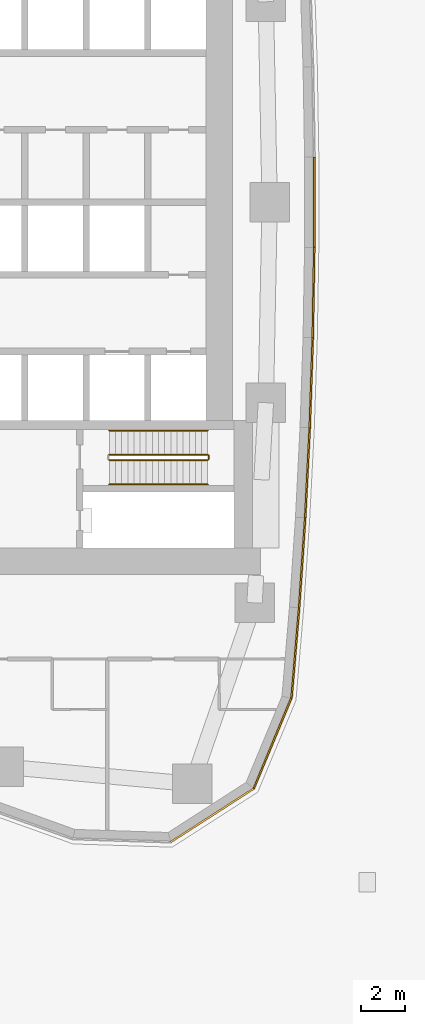
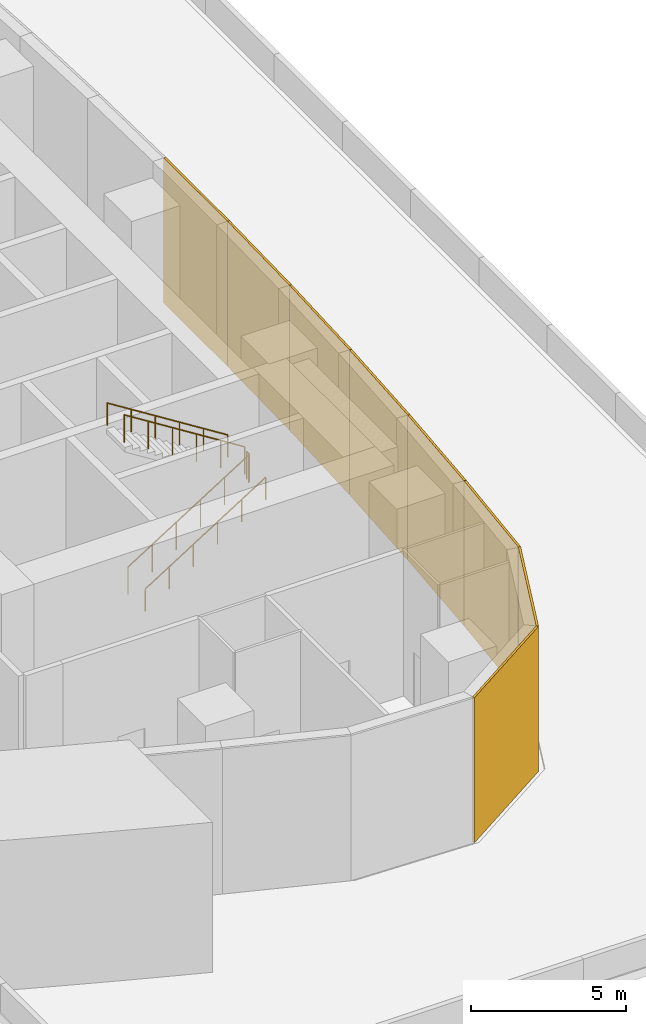
# One storey, part 12 of 14: 8 coverings, 5 railings.
"""IFC4 building model written with IfcOpenShell, lengths in metres."""

from ifc_helpers import new_model, si_unit, direction, frame, origin, origin_2d, place, context, subcontext, project, spatial, polyline, circle, outline, extrude, material, layer, layer_set, type_object, element, save


model = new_model("IFC4")

# Units and contexts
model_context = context("Model", 3, precision=1e-05, world=origin(), true_north=direction((0.0, 1.0)))
body_context = subcontext(model_context, "Body", "Model", "MODEL_VIEW")
ifc_project = project(units=[si_unit("LENGTHUNIT", "METRE"), si_unit("AREAUNIT", "SQUARE_METRE"), si_unit("VOLUMEUNIT", "CUBIC_METRE"), si_unit("PLANEANGLEUNIT", "RADIAN"), si_unit("MASSUNIT", "GRAM", prefix="KILO")], contexts=[model_context])

# Site, building, storey
site_placement = place(None, origin())
site = spatial("IfcSite", under=ifc_project, at=site_placement, CompositionType="ELEMENT")
building_placement = place(site_placement, origin())
building = spatial("IfcBuilding", under=site, at=building_placement, Name="Ostrand Prow Hotel Tower", CompositionType="ELEMENT")
storey_placement = place(building_placement, frame((0.0, 0.0, 29.0)))
storey = spatial("IfcBuildingStorey", under=building, at=storey_placement, Name="L05", CompositionType="ELEMENT", Elevation=29.0)

# Railings
ifc_material_1 = material(Name="Painted steel", Category="steel")
railing_type_1 = type_object("IfcRailingType", Name="Stair guard 1100", PredefinedType="GUARDRAIL", material=ifc_material_1)
railing_1_placement = place(storey_placement, frame((57.199951171875, -11.75, 0.176513671875)))
element("IfcRailing", 1, at=railing_1_placement, inside=storey, type_object=railing_type_1, Name="L05 ST2B stair guard 1", PredefinedType="GUARDRAIL", context=body_context, shape_type="SweptSolid", body=[
    extrude(circle(Radius=0.02392578125, at=origin_2d()), frame((0.0, 0.0, 1.076171875), z_axis=(0.845997938375, 0.0, 0.533186166611), x_axis=(0.0, 1.0, 0.0)), (0.0, 0.0, 1.0), 5.29541015625),
    extrude(circle(Radius=0.02099609375, at=origin_2d()), origin(), (0.0, 0.0, 1.0), 1.052001953125),
    extrude(circle(Radius=0.02099609375, at=origin_2d()), frame((0.89599609375, 0.0, 0.564697265625)), (0.0, 0.0, 1.0), 1.052001953125),
    extrude(circle(Radius=0.02099609375, at=origin_2d()), frame((1.7919921875, 0.0, 1.12939453125)), (0.0, 0.0, 1.0), 1.052001953125),
    extrude(circle(Radius=0.02099609375, at=origin_2d()), frame((2.68798828125, 0.0, 1.694091796875)), (0.0, 0.0, 1.0), 1.052001953125),
    extrude(circle(Radius=0.02099609375, at=origin_2d()), frame((3.583984375, 0.0, 2.2587890625)), (0.0, 0.0, 1.0), 1.052001953125),
    extrude(circle(Radius=0.02099609375, at=origin_2d()), frame((4.47998046875, 0.0, 2.823486328125)), (0.0, 0.0, 1.0), 1.052001953125),
])
railing_2_placement = place(storey_placement, frame((61.72998046875, -11.699951171875, 3.0)))
element("IfcRailing", 2, at=railing_2_placement, inside=storey, type_object=railing_type_1, Name="L05 ST2B stair guard 2", PredefinedType="GUARDRAIL", context=body_context, shape_type="SweptSolid", body=[
    extrude(circle(Radius=0.02392578125, at=origin_2d()), frame((0.0, 0.0, 1.076171875), z_axis=(0.0, 1.0, 0.0), x_axis=(-1.0, 0.0, 0.0)), (0.0, 0.0, 1.0), 0.14990234375),
    extrude(circle(Radius=0.02099609375, at=origin_2d()), origin(), (0.0, 0.0, 1.0), 1.052001953125),
    extrude(circle(Radius=0.02099609375, at=origin_2d()), frame((0.0, 0.14990234375, 0.0)), (0.0, 0.0, 1.0), 1.052001953125),
])
railing_3_placement = place(storey_placement, frame((61.679931640625, -11.5, 3.176513671875)))
element("IfcRailing", 3, at=railing_3_placement, inside=storey, type_object=railing_type_1, Name="L05 ST2B stair guard 3", PredefinedType="GUARDRAIL", context=body_context, shape_type="SweptSolid", body=[
    extrude(circle(Radius=0.02392578125, at=origin_2d()), frame((0.0, 0.0, 1.076171875), z_axis=(-0.845997938375, 0.0, 0.533186166611), x_axis=(0.0, -1.0, 0.0)), (0.0, 0.0, 1.0), 5.29541015625),
    extrude(circle(Radius=0.02099609375, at=origin_2d()), origin(), (0.0, 0.0, 1.0), 1.052001953125),
    extrude(circle(Radius=0.02099609375, at=origin_2d()), frame((-0.89599609375, 0.0, 0.564697265625)), (0.0, 0.0, 1.0), 1.052001953125),
    extrude(circle(Radius=0.02099609375, at=origin_2d()), frame((-1.7919921875, 0.0, 1.12939453125)), (0.0, 0.0, 1.0), 1.052001953125),
    extrude(circle(Radius=0.02099609375, at=origin_2d()), frame((-2.68798828125, 0.0, 1.694091796875)), (0.0, 0.0, 1.0), 1.052001953125),
    extrude(circle(Radius=0.02099609375, at=origin_2d()), frame((-3.583984375, 0.0, 2.2587890625)), (0.0, 0.0, 1.0), 1.052001953125),
    extrude(circle(Radius=0.02099609375, at=origin_2d()), frame((-4.47998046875, 0.0, 2.823486328125)), (0.0, 0.0, 1.0), 1.052001953125),
])
ifc_material_2 = material(Name="Stainless steel", Category="steel")
railing_type_2 = type_object("IfcRailingType", Name="Stair handrail 900", PredefinedType="HANDRAIL", material=ifc_material_2)
railing_4_placement = place(storey_placement, frame((57.199951171875, -12.85009765625, 0.176513671875)))
element("IfcRailing", 4, at=railing_4_placement, inside=storey, type_object=railing_type_2, Name="L05 ST2B stair handrail 1", PredefinedType="HANDRAIL", context=body_context, shape_type="SweptSolid", body=[
    extrude(circle(Radius=0.02392578125, at=origin_2d()), frame((0.0, 0.0, 0.8759765625), z_axis=(0.845997938375, 0.0, 0.533186166611), x_axis=(0.0, 1.0, 0.0)), (0.0, 0.0, 1.0), 5.29541015625),
    extrude(circle(Radius=0.02099609375, at=origin_2d()), origin(), (0.0, 0.0, 1.0), 0.851806640625),
    extrude(circle(Radius=0.02099609375, at=origin_2d()), frame((0.89599609375, 0.0, 0.564697265625)), (0.0, 0.0, 1.0), 0.851806640625),
    extrude(circle(Radius=0.02099609375, at=origin_2d()), frame((1.7919921875, 0.0, 1.12939453125)), (0.0, 0.0, 1.0), 0.851806640625),
    extrude(circle(Radius=0.02099609375, at=origin_2d()), frame((2.68798828125, 0.0, 1.694091796875)), (0.0, 0.0, 1.0), 0.851806640625),
    extrude(circle(Radius=0.02099609375, at=origin_2d()), frame((3.583984375, 0.0, 2.2587890625)), (0.0, 0.0, 1.0), 0.851806640625),
    extrude(circle(Radius=0.02099609375, at=origin_2d()), frame((4.47998046875, 0.0, 2.823486328125)), (0.0, 0.0, 1.0), 0.851806640625),
])
railing_5_placement = place(storey_placement, frame((61.679931640625, -10.39990234375, 3.176513671875)))
element("IfcRailing", 5, at=railing_5_placement, inside=storey, type_object=railing_type_2, Name="L05 ST2B stair handrail 2", PredefinedType="HANDRAIL", context=body_context, shape_type="SweptSolid", body=[
    extrude(circle(Radius=0.02392578125, at=origin_2d()), frame((0.0, 0.0, 0.8759765625), z_axis=(-0.845997938375, 0.0, 0.533186166611), x_axis=(0.0, -1.0, 0.0)), (0.0, 0.0, 1.0), 5.29541015625),
    extrude(circle(Radius=0.02099609375, at=origin_2d()), origin(), (0.0, 0.0, 1.0), 0.851806640625),
    extrude(circle(Radius=0.02099609375, at=origin_2d()), frame((-0.89599609375, 0.0, 0.564697265625)), (0.0, 0.0, 1.0), 0.851806640625),
    extrude(circle(Radius=0.02099609375, at=origin_2d()), frame((-1.7919921875, 0.0, 1.12939453125)), (0.0, 0.0, 1.0), 0.851806640625),
    extrude(circle(Radius=0.02099609375, at=origin_2d()), frame((-2.68798828125, 0.0, 1.694091796875)), (0.0, 0.0, 1.0), 0.851806640625),
    extrude(circle(Radius=0.02099609375, at=origin_2d()), frame((-3.583984375, 0.0, 2.2587890625)), (0.0, 0.0, 1.0), 0.851806640625),
    extrude(circle(Radius=0.02099609375, at=origin_2d()), frame((-4.47998046875, 0.0, 2.823486328125)), (0.0, 0.0, 1.0), 0.851806640625),
])

# Coverings
ifc_material_3 = material(Name="Limestone cladding", Category="masonry")
ifc_layer = layer(ifc_material_3, 0.080078125)
ifc_layer_set = layer_set([ifc_layer], Name="Limestone cladding")
covering_type = type_object("IfcCoveringType", Name="Warm limestone cladding 80 mm", PredefinedType="CLADDING", material=ifc_layer_set)
covering_1_placement = place(storey_placement, frame((59.99755859375, -29.14111328125, 0.0), z_axis=(0.0, 0.0, 1.0), x_axis=(0.840952209207, 0.541109399133, 0.0)))
element("IfcCovering", 6, at=covering_1_placement, inside=storey, type_object=covering_type, Name="Limestone cladding prow 18", PredefinedType="CLADDING", context=body_context, shape_type="SweptSolid", body=[
    extrude(outline(polyline([(-0.012451171875, -0.0400390625), (4.501220703125, -0.0400390625), (4.476318359375, 0.0400390625), (0.012451171875, 0.0400390625), (-0.012451171875, -0.0400390625)])), origin(), (0.0, 0.0, 1.0), 5.699951171875),
])
covering_2_placement = place(storey_placement, frame((63.7724609375, -26.712158203125, 0.0), z_axis=(0.0, 0.0, 1.0), x_axis=(0.38436048622, 0.923183089443, 0.0)))
element("IfcCovering", 7, at=covering_2_placement, inside=storey, type_object=covering_type, Name="Limestone cladding prow 19", PredefinedType="CLADDING", context=body_context, shape_type="SweptSolid", body=[
    extrude(outline(polyline([(-0.012451171875, -0.0400390625), (4.4951171875, -0.0400390625), (4.482421875, 0.0400390625), (0.012451171875, 0.0400390625), (-0.012451171875, -0.0400390625)])), origin(), (0.0, 0.0, 1.0), 5.699951171875),
])
covering_3_placement = place(storey_placement, frame((65.497802734375, -22.568115234375, 0.0), z_axis=(0.0, 0.0, 1.0), x_axis=(0.083832168034, 0.996479888208, 0.0)))
element("IfcCovering", 8, at=covering_3_placement, inside=storey, type_object=covering_type, Name="Limestone cladding prow 20", PredefinedType="CLADDING", context=body_context, shape_type="SweptSolid", body=[
    extrude(outline(polyline([(-0.00634765625, -0.0400390625), (4.109375, -0.0400390625), (4.10888671875, 0.0400390625), (0.00634765625, 0.0400390625), (-0.00634765625, -0.0400390625)])), origin(), (0.0, 0.0, 1.0), 5.699951171875),
])
covering_4_placement = place(storey_placement, frame((65.84228515625, -18.473388671875, 0.0), z_axis=(0.0, 0.0, 1.0), x_axis=(0.067082945272, 0.997747402128, 0.0)))
element("IfcCovering", 9, at=covering_4_placement, inside=storey, type_object=covering_type, Name="Limestone cladding prow 21", PredefinedType="CLADDING", context=body_context, shape_type="SweptSolid", body=[
    extrude(outline(polyline([(-0.000244140625, -0.0400390625), (4.109130859375, -0.0400390625), (4.108642578125, 0.0400390625), (0.000244140625, 0.0400390625), (-0.000244140625, -0.0400390625)])), origin(), (0.0, 0.0, 1.0), 5.699951171875),
])
covering_5_placement = place(storey_placement, frame((66.117919921875, -14.373779296875, 0.0), z_axis=(0.0, 0.0, 1.0), x_axis=(0.050322834858, 0.998733003506, 0.0)))
element("IfcCovering", 10, at=covering_5_placement, inside=storey, type_object=covering_type, Name="Limestone cladding prow 22", PredefinedType="CLADDING", context=body_context, shape_type="SweptSolid", body=[
    extrude(outline(polyline([(-0.000244140625, -0.0400390625), (4.109375, -0.0400390625), (4.10888671875, 0.0400390625), (0.000244140625, 0.0400390625), (-0.000244140625, -0.0400390625)])), origin(), (0.0, 0.0, 1.0), 5.699951171875),
])
covering_6_placement = place(storey_placement, frame((66.32470703125, -10.269775390625, 0.0), z_axis=(0.0, 0.0, 1.0), x_axis=(0.033510685133, 0.999438359271, 0.0)))
element("IfcCovering", 11, at=covering_6_placement, inside=storey, type_object=covering_type, Name="Limestone cladding prow 23", PredefinedType="CLADDING", context=body_context, shape_type="SweptSolid", body=[
    extrude(outline(polyline([(-0.000244140625, -0.0400390625), (4.109130859375, -0.0400390625), (4.108642578125, 0.0400390625), (0.000244140625, 0.0400390625), (-0.000244140625, -0.0400390625)])), origin(), (0.0, 0.0, 1.0), 5.699951171875),
])
covering_7_placement = place(storey_placement, frame((66.46240234375, -6.1630859375, 0.0), z_axis=(0.0, 0.0, 1.0), x_axis=(0.016813832932, 0.999858637519, 0.0)))
element("IfcCovering", 12, at=covering_7_placement, inside=storey, type_object=covering_type, Name="Limestone cladding prow 24", PredefinedType="CLADDING", context=body_context, shape_type="SweptSolid", body=[
    extrude(outline(polyline([(-0.000244140625, -0.0400390625), (4.109375, -0.0400390625), (4.10888671875, 0.0400390625), (0.000244140625, 0.0400390625), (-0.000244140625, -0.0400390625)])), origin(), (0.0, 0.0, 1.0), 5.699951171875),
])
covering_8_placement = place(storey_placement, frame((66.531494140625, -2.054443359375, 0.0), z_axis=(0.0, 0.0, 1.0), x_axis=(0.0, 1.0, 0.0)))
element("IfcCovering", 13, at=covering_8_placement, inside=storey, type_object=covering_type, Name="Limestone cladding prow 25", PredefinedType="CLADDING", context=body_context, shape_type="SweptSolid", body=[
    extrude(outline(polyline([(-0.000244140625, -0.0400390625), (4.109130859375, -0.0400390625), (4.108642578125, 0.0400390625), (0.000244140625, 0.0400390625), (-0.000244140625, -0.0400390625)])), origin(), (0.0, 0.0, 1.0), 5.699951171875),
])

save(model, "model.ifc")
